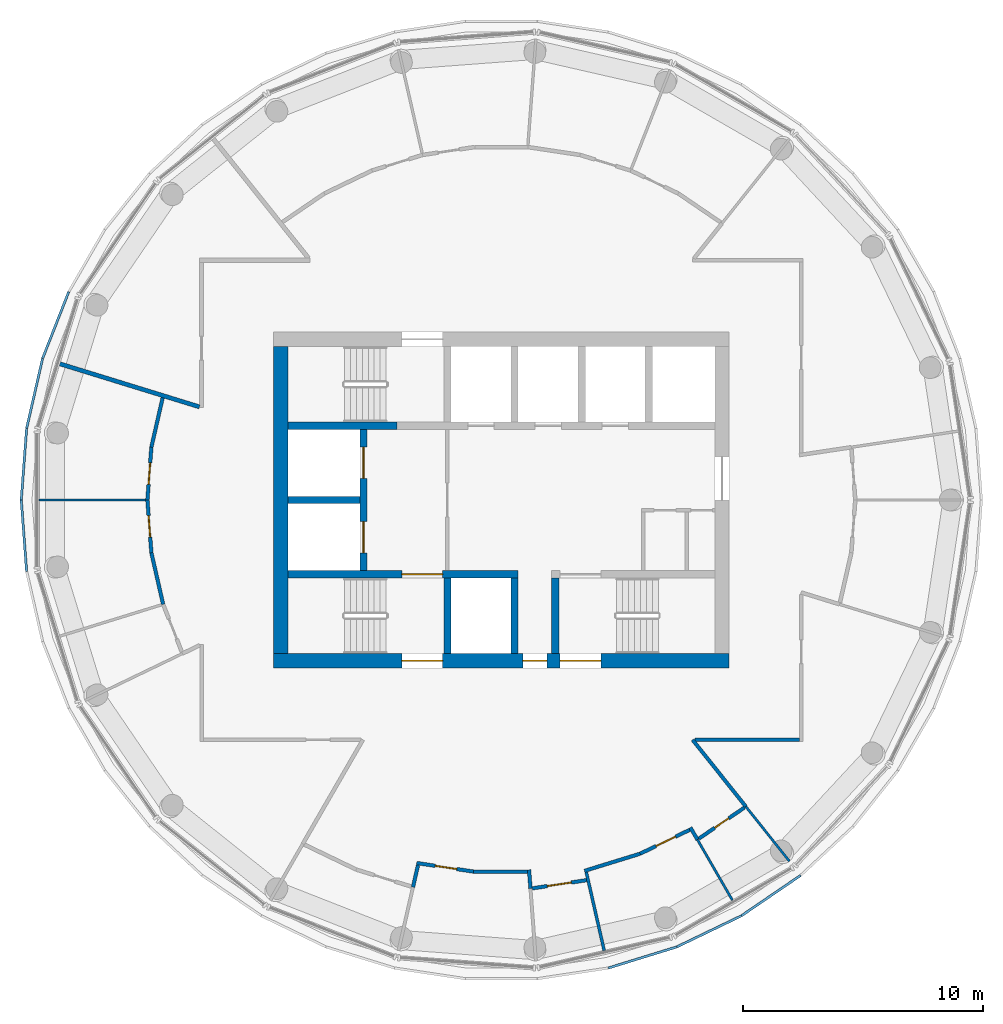
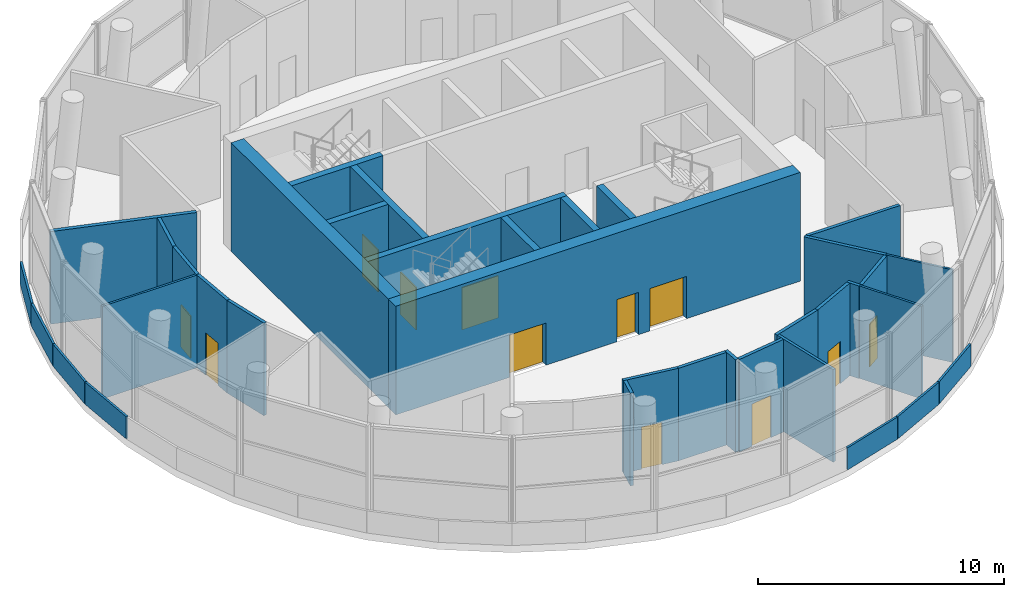
# One storey, part 5 of 11: 36 walls, 12 doors, 12 openings.
"""IFC4 building model written with IfcOpenShell, lengths in metres."""

from ifc_helpers import new_model, si_unit, direction, frame, frame_2d, origin, place, context, subcontext, project, spatial, rectangle, extrude, material, layer, layer_set, type_object, element, fill, save


model = new_model("IFC4")

# Units and contexts
model_context = context("Model", 3, precision=1e-05, world=origin(), true_north=direction((0.0, 1.0)))
body_context = subcontext(model_context, "Body", "Model", "MODEL_VIEW")
ifc_project = project(units=[si_unit("LENGTHUNIT", "METRE"), si_unit("AREAUNIT", "SQUARE_METRE"), si_unit("VOLUMEUNIT", "CUBIC_METRE"), si_unit("PLANEANGLEUNIT", "RADIAN"), si_unit("MASSUNIT", "GRAM", prefix="KILO")], contexts=[model_context])

# Site, building, storey
site_placement = place(None, origin())
site = spatial("IfcSite", under=ifc_project, at=site_placement, CompositionType="ELEMENT")
building_placement = place(site_placement, origin())
building = spatial("IfcBuilding", under=site, at=building_placement, Name="Tracery Tower", CompositionType="ELEMENT")
storey_placement = place(building_placement, frame((0.0, 0.0, 330.60009765625)))
storey = spatial("IfcBuildingStorey", under=building, at=storey_placement, Name="L86", CompositionType="ELEMENT", Elevation=330.60009765625)

# Wall
ifc_material_1 = material(Name="Plasterboard on steel studs", Category="steel")
ifc_layer_1 = layer(ifc_material_1, 0.175048828125)
ifc_layer_set_1 = layer_set([ifc_layer_1], Name="Compartment partition 175")
wall_type_1 = type_object("IfcWallType", Name="Compartment partition 175", PredefinedType="PARTITIONING", material=ifc_layer_set_1)
wall_1_placement = place(storey_placement, frame((-18.415283203125, 5.680419921875, 0.0), z_axis=(0.0, 0.0, 1.0), x_axis=(0.955575380347, -0.294746827761, 0.0)))
element("IfcWall", 1, at=wall_1_placement, inside=storey, type_object=wall_type_1, Name="Compartment partition 175", PredefinedType="PARTITIONING", context=body_context, shape_type="SweptSolid", body=[
    extrude(rectangle(XDim=6.098876953125, YDim=0.175048828125, at=frame_2d((3.04931640625, 0.0))), origin(), (0.0, 0.0, 1.0), 4.599853515625),
])

# Wall, openings, doors
ifc_material_2 = material(Name="Concrete C40/50", Category="concrete")
ifc_layer_2 = layer(ifc_material_2, 0.60009765625)
ifc_layer_set_2 = layer_set([ifc_layer_2], Name="Core wall 600 C40")
wall_type_2 = type_object("IfcWallType", Name="Core wall 600 C40", PredefinedType="SOLIDWALL", material=ifc_layer_set_2)
wall_2_placement = place(storey_placement, frame((-9.5, -6.699951171875, 0.0), z_axis=(0.0, 0.0, 1.0), x_axis=(1.0, 0.0, 0.0)))
wall_2 = element("IfcWall", 2, at=wall_2_placement, inside=storey, type_object=wall_type_2, Name="L86 outer S", PredefinedType="SOLIDWALL", context=body_context, shape_type="SweptSolid", body=[
    extrude(rectangle(XDim=19.0, YDim=0.60009765625, at=frame_2d((9.5, 0.0))), origin(), (0.0, 0.0, 1.0), 5.39990234375),
])
opening_1_placement = place(wall_2_placement, frame((10.39990234375, 0.0, 0.0)))
opening_1 = element("IfcOpeningElement", 3, at=opening_1_placement, cuts=wall_2, Name="Opening KD16", PredefinedType="OPENING", context=body_context, shape_type="SweptSolid", body=[
    extrude(rectangle(XDim=1.0, YDim=2.10009765625, at=frame_2d((0.5, 1.050048828125))), frame((0.0, 0.300048828125, 0.0), z_axis=(0.0, -1.0, 0.0), x_axis=(1.0, 0.0, 0.0)), (0.0, 0.0, 1.0), 0.60009765625),
])
opening_2_placement = place(wall_2_placement, frame((5.35009765625, 0.0, 0.0)))
opening_2 = element("IfcOpeningElement", 4, at=opening_2_placement, cuts=wall_2, Name="Opening KD3", PredefinedType="OPENING", context=body_context, shape_type="SweptSolid", body=[
    extrude(rectangle(XDim=1.699951171875, YDim=2.10009765625, at=frame_2d((0.85009765625, 1.050048828125))), frame((0.0, 0.300048828125, 0.0), z_axis=(0.0, -1.0, 0.0), x_axis=(1.0, 0.0, 0.0)), (0.0, 0.0, 1.0), 0.60009765625),
])
opening_3_placement = place(wall_2_placement, frame((11.949951171875, 0.0, 0.0)))
opening_3 = element("IfcOpeningElement", 5, at=opening_3_placement, cuts=wall_2, Name="Opening KD3", PredefinedType="OPENING", context=body_context, shape_type="SweptSolid", body=[
    extrude(rectangle(XDim=1.699951171875, YDim=2.10009765625, at=frame_2d((0.85009765625, 1.050048828125))), frame((0.0, 0.300048828125, 0.0), z_axis=(0.0, -1.0, 0.0), x_axis=(1.0, 0.0, 0.0)), (0.0, 0.0, 1.0), 0.60009765625),
])
ifc_material_3 = material(Name="Steel fire door", Category="steel")
door_type_1 = type_object("IfcDoorType", Name="Core exit door 1000", OperationType="NOTDEFINED", PredefinedType="DOOR", material=ifc_material_3)
door_1_placement = place(opening_1_placement, origin())
door_1 = element("IfcDoor", 6, at=door_1_placement, inside=storey, type_object=door_type_1, Name="Core exit door", OperationType="SINGLE_SWING_LEFT", OverallHeight=2.10009765625, OverallWidth=1.0, PredefinedType="DOOR", context=body_context, shape_type="SweptSolid", body=[
    extrude(rectangle(XDim=1.0, YDim=2.10009765625, at=frame_2d((0.5, 1.050048828125))), frame((0.0, 0.02490234375, 0.0), z_axis=(0.0, -1.0, 0.0), x_axis=(1.0, 0.0, 0.0)), (0.0, 0.0, 1.0), 0.050048828125),
])
fill(opening_1, door_1)
ifc_material_4 = material(Name="Steel fire door", Category="steel")
door_type_2 = type_object("IfcDoorType", Name="Core stair door 1700 double", OperationType="NOTDEFINED", PredefinedType="DOOR", material=ifc_material_4)
door_2_placement = place(opening_2_placement, origin())
door_2 = element("IfcDoor", 7, at=door_2_placement, inside=storey, type_object=door_type_2, Name="Stair door ST1 exit", OperationType="DOUBLE_DOOR_SINGLE_SWING", OverallHeight=2.10009765625, OverallWidth=1.699951171875, PredefinedType="DOOR", context=body_context, shape_type="SweptSolid", body=[
    extrude(rectangle(XDim=1.699951171875, YDim=2.10009765625, at=frame_2d((0.85009765625, 1.050048828125))), frame((0.0, 0.02490234375, 0.0), z_axis=(0.0, -1.0, 0.0), x_axis=(1.0, 0.0, 0.0)), (0.0, 0.0, 1.0), 0.050048828125),
])
fill(opening_2, door_2)
door_3_placement = place(opening_3_placement, origin())
door_3 = element("IfcDoor", 8, at=door_3_placement, inside=storey, type_object=door_type_2, Name="Stair door ST2 exit", OperationType="DOUBLE_DOOR_SINGLE_SWING", OverallHeight=2.10009765625, OverallWidth=1.699951171875, PredefinedType="DOOR", context=body_context, shape_type="SweptSolid", body=[
    extrude(rectangle(XDim=1.699951171875, YDim=2.10009765625, at=frame_2d((0.85009765625, 1.050048828125))), frame((0.0, 0.02490234375, 0.0), z_axis=(0.0, -1.0, 0.0), x_axis=(1.0, 0.0, 0.0)), (0.0, 0.0, 1.0), 0.050048828125),
])
fill(opening_3, door_3)

# Wall
wall_3_placement = place(storey_placement, frame((-9.199951171875, -6.39990234375, 0.0), z_axis=(0.0, 0.0, 1.0), x_axis=(0.0, 1.0, 0.0)))
element("IfcWall", 9, at=wall_3_placement, inside=storey, type_object=wall_type_2, Name="L86 outer W", PredefinedType="SOLIDWALL", context=body_context, shape_type="SweptSolid", body=[
    extrude(rectangle(XDim=12.7998046875, YDim=0.60009765625, at=frame_2d((6.39990234375, 0.0))), origin(), (0.0, 0.0, 1.0), 5.39990234375),
])

# Wall, opening, door
ifc_material_5 = material(Name="Plasterboard on steel studs", Category="steel")
ifc_layer_3 = layer(ifc_material_5, 0.14990234375)
ifc_layer_set_3 = layer_set([ifc_layer_3], Name="Corridor partition 150")
wall_type_3 = type_object("IfcWallType", Name="Corridor partition 150", PredefinedType="PARTITIONING", material=ifc_layer_set_3)
wall_4_placement = place(storey_placement, frame((-14.593994140625, -2.19970703125, 0.0), z_axis=(0.0, 0.0, 1.0), x_axis=(-0.074707404068, 0.997205497266, 0.0)))
wall_4 = element("IfcWall", 10, at=wall_4_placement, inside=storey, type_object=wall_type_3, Name="Corridor partition 150", PredefinedType="PARTITIONING", context=body_context, shape_type="SweptSolid", body=[
    extrude(rectangle(XDim=2.205810546875, YDim=0.14990234375, at=frame_2d((1.10302734375, 0.0))), origin(), (0.0, 0.0, 1.0), 4.599853515625),
])
opening_4_placement = place(wall_4_placement, frame((0.65283203125, 0.0, 0.0)))
opening_4 = element("IfcOpeningElement", 11, at=opening_4_placement, cuts=wall_4, Name="Opening SB-L86-08", PredefinedType="OPENING", context=body_context, shape_type="SweptSolid", body=[
    extrude(rectangle(XDim=0.89990234375, YDim=2.10009765625, at=frame_2d((0.449951171875, 1.050048828125))), frame((0.0, 0.074951171875, 0.0), z_axis=(0.0, -1.0, 0.0), x_axis=(1.0, 0.0, 0.0)), (0.0, 0.0, 1.0), 0.14990234375),
])
ifc_material_6 = material(Name="Timber door leaf", Category="wood")
door_type_3 = type_object("IfcDoorType", Name="Room door 900", OperationType="NOTDEFINED", PredefinedType="DOOR", material=ifc_material_6)
door_4_placement = place(opening_4_placement, origin())
door_4 = element("IfcDoor", 12, at=door_4_placement, inside=storey, type_object=door_type_3, Name="Room door 900", OperationType="SINGLE_SWING_RIGHT", OverallHeight=2.10009765625, OverallWidth=0.89990234375, PredefinedType="DOOR", context=body_context, shape_type="SweptSolid", body=[
    extrude(rectangle(XDim=0.89990234375, YDim=2.10009765625, at=frame_2d((0.449951171875, 1.050048828125))), frame((0.0, 0.02490234375, 0.0), z_axis=(0.0, -1.0, 0.0), x_axis=(1.0, 0.0, 0.0)), (0.0, 0.0, 1.0), 0.050048828125),
])
fill(opening_4, door_4)

# Wall
wall_5_placement = place(storey_placement, frame((-14.593994140625, -2.19970703125, 0.0), z_axis=(0.0, 0.0, 1.0), x_axis=(0.22258736759, -0.974912746757, 0.0)))
element("IfcWall", 13, at=wall_5_placement, inside=storey, type_object=wall_type_3, Name="Corridor partition 150", PredefinedType="PARTITIONING", context=body_context, shape_type="SweptSolid", body=[
    extrude(rectangle(XDim=2.205810546875, YDim=0.14990234375, at=frame_2d((1.10302734375, 0.0))), origin(), (0.0, 0.0, 1.0), 4.599853515625),
])

# Wall, opening, door
wall_6_placement = place(storey_placement, frame((-14.7587890625, 0.0, 0.0), z_axis=(0.0, 0.0, 1.0), x_axis=(0.074707404068, 0.997205497266, 0.0)))
wall_6 = element("IfcWall", 14, at=wall_6_placement, inside=storey, type_object=wall_type_3, Name="Corridor partition 150", PredefinedType="PARTITIONING", context=body_context, shape_type="SweptSolid", body=[
    extrude(rectangle(XDim=2.205810546875, YDim=0.14990234375, at=frame_2d((1.10302734375, 0.0))), origin(), (0.0, 0.0, 1.0), 4.599853515625),
])
opening_5_placement = place(wall_6_placement, frame((0.65283203125, 0.0, 0.0)))
opening_5 = element("IfcOpeningElement", 15, at=opening_5_placement, cuts=wall_6, Name="Opening SB-L86-07", PredefinedType="OPENING", context=body_context, shape_type="SweptSolid", body=[
    extrude(rectangle(XDim=0.89990234375, YDim=2.10009765625, at=frame_2d((0.449951171875, 1.050048828125))), frame((0.0, 0.074951171875, 0.0), z_axis=(0.0, -1.0, 0.0), x_axis=(1.0, 0.0, 0.0)), (0.0, 0.0, 1.0), 0.14990234375),
])
door_5_placement = place(opening_5_placement, origin())
door_5 = element("IfcDoor", 16, at=door_5_placement, inside=storey, type_object=door_type_3, Name="Room door 900", OperationType="SINGLE_SWING_RIGHT", OverallHeight=2.10009765625, OverallWidth=0.89990234375, PredefinedType="DOOR", context=body_context, shape_type="SweptSolid", body=[
    extrude(rectangle(XDim=0.89990234375, YDim=2.10009765625, at=frame_2d((0.449951171875, 1.050048828125))), frame((0.0, 0.02490234375, 0.0), z_axis=(0.0, -1.0, 0.0), x_axis=(1.0, 0.0, 0.0)), (0.0, 0.0, 1.0), 0.050048828125),
])
fill(opening_5, door_5)

# Walls
wall_7_placement = place(storey_placement, frame((-14.123291015625, 4.261962890625, 0.0), z_axis=(0.0, 0.0, 1.0), x_axis=(-0.222523936701, -0.97492722682, 0.0)))
element("IfcWall", 17, at=wall_7_placement, inside=storey, type_object=wall_type_3, Name="Corridor partition 150", PredefinedType="PARTITIONING", context=body_context, shape_type="SweptSolid", body=[
    extrude(rectangle(XDim=2.115234375, YDim=0.14990234375, at=frame_2d((1.0576171875, 0.0))), origin(), (0.0, 0.0, 1.0), 4.599853515625),
])
wall_8_placement = place(storey_placement, frame((-3.68408203125, -16.1416015625, 0.0), z_axis=(0.0, 0.0, 1.0), x_axis=(0.222438066525, 0.974946822427, 0.0)))
element("IfcWall", 18, at=wall_8_placement, inside=storey, type_object=wall_type_3, Name="Corridor partition 150", PredefinedType="PARTITIONING", context=body_context, shape_type="SweptSolid", body=[
    extrude(rectangle(XDim=0.94287109375, YDim=0.14990234375, at=frame_2d((0.471435546875, 0.0))), origin(), (0.0, 0.0, 1.0), 4.599853515625),
])

# Wall, opening, door
wall_9_placement = place(storey_placement, frame((-1.1611328125, -15.49560546875, 0.0), z_axis=(0.0, 0.0, 1.0), x_axis=(-0.988826289837, 0.149072360037, 0.0)))
wall_9 = element("IfcWall", 19, at=wall_9_placement, inside=storey, type_object=wall_type_3, Name="Corridor partition 150", PredefinedType="PARTITIONING", context=body_context, shape_type="SweptSolid", body=[
    extrude(rectangle(XDim=2.397705078125, YDim=0.14990234375, at=frame_2d((1.19873046875, 0.0))), origin(), (0.0, 0.0, 1.0), 4.599853515625),
])
opening_6_placement = place(wall_9_placement, frame((0.711181640625, 0.0, 0.0)))
opening_6 = element("IfcOpeningElement", 20, at=opening_6_placement, cuts=wall_9, Name="Opening SB-L86-12", PredefinedType="OPENING", context=body_context, shape_type="SweptSolid", body=[
    extrude(rectangle(XDim=0.89990234375, YDim=2.10009765625, at=frame_2d((0.449951171875, 1.050048828125))), frame((0.0, 0.074951171875, 0.0), z_axis=(0.0, -1.0, 0.0), x_axis=(1.0, 0.0, 0.0)), (0.0, 0.0, 1.0), 0.14990234375),
])
ifc_material_7 = material(Name="Timber door leaf", Category="wood")
door_type_4 = type_object("IfcDoorType", Name="Toilet door 900", OperationType="NOTDEFINED", PredefinedType="DOOR", material=ifc_material_7)
door_6_placement = place(opening_6_placement, origin())
door_6 = element("IfcDoor", 21, at=door_6_placement, inside=storey, type_object=door_type_4, Name="Toilet door 900", OperationType="SINGLE_SWING_RIGHT", OverallHeight=2.10009765625, OverallWidth=0.89990234375, PredefinedType="DOOR", context=body_context, shape_type="SweptSolid", body=[
    extrude(rectangle(XDim=0.89990234375, YDim=2.10009765625, at=frame_2d((0.449951171875, 1.050048828125))), frame((0.0, 0.02490234375, 0.0), z_axis=(0.0, -1.0, 0.0), x_axis=(1.0, 0.0, 0.0)), (0.0, 0.0, 1.0), 0.050048828125),
])
fill(opening_6, door_6)

# Walls
wall_10_placement = place(storey_placement, frame((-1.1611328125, -15.49560546875, 0.0), z_axis=(0.0, 0.0, 1.0), x_axis=(1.0, 0.0, 0.0)))
element("IfcWall", 22, at=wall_10_placement, inside=storey, type_object=wall_type_3, Name="Corridor partition 150", PredefinedType="PARTITIONING", context=body_context, shape_type="SweptSolid", body=[
    extrude(rectangle(XDim=2.247314453125, YDim=0.14990234375, at=frame_2d((1.12353515625, 0.0))), origin(), (0.0, 0.0, 1.0), 4.599853515625),
])
wall_11_placement = place(storey_placement, frame((1.214599609375, -16.20654296875, 0.0), z_axis=(0.0, 0.0, 1.0), x_axis=(-0.074967074966, 0.997186009564, 0.0)))
element("IfcWall", 23, at=wall_11_placement, inside=storey, type_object=wall_type_3, Name="Corridor partition 150", PredefinedType="PARTITIONING", context=body_context, shape_type="SweptSolid", body=[
    extrude(rectangle(XDim=0.7880859375, YDim=0.14990234375, at=frame_2d((0.39404296875, 0.0))), origin(), (0.0, 0.0, 1.0), 4.599853515625),
])

# Wall, opening, door
wall_12_placement = place(storey_placement, frame((3.551513671875, -15.854248046875, 0.0), z_axis=(0.0, 0.0, 1.0), x_axis=(-0.988829666301, -0.149049961569, 0.0)))
wall_12 = element("IfcWall", 24, at=wall_12_placement, inside=storey, type_object=wall_type_3, Name="Corridor partition 150", PredefinedType="PARTITIONING", context=body_context, shape_type="SweptSolid", body=[
    extrude(rectangle(XDim=2.288330078125, YDim=0.14990234375, at=frame_2d((1.14404296875, 0.0))), origin(), (0.0, 0.0, 1.0), 4.599853515625),
])
opening_7_placement = place(wall_12_placement, frame((0.64892578125, 0.0, 0.0)))
opening_7 = element("IfcOpeningElement", 25, at=opening_7_placement, cuts=wall_12, Name="Opening SB-L86-13", PredefinedType="OPENING", context=body_context, shape_type="SweptSolid", body=[
    extrude(rectangle(XDim=1.0, YDim=2.10009765625, at=frame_2d((0.5, 1.050048828125))), frame((0.0, 0.074951171875, 0.0), z_axis=(0.0, -1.0, 0.0), x_axis=(1.0, 0.0, 0.0)), (0.0, 0.0, 1.0), 0.14990234375),
])
ifc_material_8 = material(Name="Timber door leaf", Category="wood")
door_type_5 = type_object("IfcDoorType", Name="Accessible toilet door 1000", OperationType="NOTDEFINED", PredefinedType="DOOR", material=ifc_material_8)
door_7_placement = place(opening_7_placement, origin())
door_7 = element("IfcDoor", 26, at=door_7_placement, inside=storey, type_object=door_type_5, Name="Accessible toilet door 1000", OperationType="SINGLE_SWING_RIGHT", OverallHeight=2.10009765625, OverallWidth=1.0, PredefinedType="DOOR", context=body_context, shape_type="SweptSolid", body=[
    extrude(rectangle(XDim=1.0, YDim=2.10009765625, at=frame_2d((0.5, 1.050048828125))), frame((0.0, 0.02490234375, 0.0), z_axis=(0.0, -1.0, 0.0), x_axis=(1.0, 0.0, 0.0)), (0.0, 0.0, 1.0), 0.050048828125),
])
fill(opening_7, door_7)

# Wall
wall_13_placement = place(storey_placement, frame((3.466064453125, -15.4658203125, 0.0), z_axis=(0.0, 0.0, 1.0), x_axis=(0.955592050723, 0.294692776626, 0.0)))
element("IfcWall", 27, at=wall_13_placement, inside=storey, type_object=wall_type_3, Name="Corridor partition 150", PredefinedType="PARTITIONING", context=body_context, shape_type="SweptSolid", body=[
    extrude(rectangle(XDim=2.4306640625, YDim=0.14990234375, at=frame_2d((1.21533203125, 0.0))), origin(), (0.0, 0.0, 1.0), 4.599853515625),
])

# Wall, opening, door
wall_14_placement = place(storey_placement, frame((7.854736328125, -13.75439453125, 0.0), z_axis=(0.0, 0.0, 1.0), x_axis=(-0.900930758215, -0.43396286581, 0.0)))
wall_14 = element("IfcWall", 28, at=wall_14_placement, inside=storey, type_object=wall_type_3, Name="Corridor partition 150", PredefinedType="PARTITIONING", context=body_context, shape_type="SweptSolid", body=[
    extrude(rectangle(XDim=2.293212890625, YDim=0.14990234375, at=frame_2d((1.146484375, 0.0))), origin(), (0.0, 0.0, 1.0), 4.599853515625),
])
opening_8_placement = place(wall_14_placement, frame((0.6591796875, 0.0, 0.0)))
opening_8 = element("IfcOpeningElement", 29, at=opening_8_placement, cuts=wall_14, Name="Opening SB-L86-14", PredefinedType="OPENING", context=body_context, shape_type="SweptSolid", body=[
    extrude(rectangle(XDim=0.89990234375, YDim=2.10009765625, at=frame_2d((0.449951171875, 1.050048828125))), frame((0.0, 0.074951171875, 0.0), z_axis=(0.0, -1.0, 0.0), x_axis=(1.0, 0.0, 0.0)), (0.0, 0.0, 1.0), 0.14990234375),
])
ifc_material_9 = material(Name="Steel fire door", Category="steel")
door_type_6 = type_object("IfcDoorType", Name="Store door 900", OperationType="NOTDEFINED", PredefinedType="DOOR", material=ifc_material_9)
door_8_placement = place(opening_8_placement, origin())
door_8 = element("IfcDoor", 30, at=door_8_placement, inside=storey, type_object=door_type_6, Name="Store door 900", OperationType="SINGLE_SWING_RIGHT", OverallHeight=2.10009765625, OverallWidth=0.89990234375, PredefinedType="DOOR", context=body_context, shape_type="SweptSolid", body=[
    extrude(rectangle(XDim=0.89990234375, YDim=2.10009765625, at=frame_2d((0.449951171875, 1.050048828125))), frame((0.0, 0.02490234375, 0.0), z_axis=(0.0, -1.0, 0.0), x_axis=(1.0, 0.0, 0.0)), (0.0, 0.0, 1.0), 0.050048828125),
])
fill(opening_8, door_8)

# Walls
wall_15_placement = place(storey_placement, frame((8.070556640625, -10.0, 0.0), z_axis=(0.0, 0.0, 1.0), x_axis=(1.0, 0.0, 0.0)))
element("IfcWall", 31, at=wall_15_placement, inside=storey, type_object=wall_type_3, Name="Corridor partition 150", PredefinedType="PARTITIONING", context=body_context, shape_type="SweptSolid", body=[
    extrude(rectangle(XDim=4.3544921875, YDim=0.14990234375, at=frame_2d((2.17724609375, 0.0))), origin(), (0.0, 0.0, 1.0), 4.599853515625),
])
wall_16_placement = place(storey_placement, frame((8.176513671875, -14.162353515625, 0.0), z_axis=(0.0, 0.0, 1.0), x_axis=(-0.499649997908, 0.866227383307, 0.0)))
element("IfcWall", 32, at=wall_16_placement, inside=storey, type_object=wall_type_3, Name="Corridor partition 150", PredefinedType="PARTITIONING", context=body_context, shape_type="SweptSolid", body=[
    extrude(rectangle(XDim=0.58349609375, YDim=0.14990234375, at=frame_2d((0.291748046875, 0.0))), origin(), (0.0, 0.0, 1.0), 4.599853515625),
])

# Wall, opening, door
wall_17_placement = place(storey_placement, frame((10.134033203125, -12.827880859375, 0.0), z_axis=(0.0, 0.0, 1.0), x_axis=(-0.82627462879, -0.563267465613, 0.0)))
wall_17 = element("IfcWall", 33, at=wall_17_placement, inside=storey, type_object=wall_type_3, Name="Corridor partition 150", PredefinedType="PARTITIONING", context=body_context, shape_type="SweptSolid", body=[
    extrude(rectangle(XDim=2.293701171875, YDim=0.14990234375, at=frame_2d((1.14697265625, 0.0))), origin(), (0.0, 0.0, 1.0), 4.599853515625),
])
opening_9_placement = place(wall_17_placement, frame((0.796875, 0.0, 0.0)))
opening_9 = element("IfcOpeningElement", 34, at=opening_9_placement, cuts=wall_17, Name="Opening SB-L86-15", PredefinedType="OPENING", context=body_context, shape_type="SweptSolid", body=[
    extrude(rectangle(XDim=0.699951171875, YDim=2.10009765625, at=frame_2d((0.35009765625, 1.050048828125))), frame((0.0, 0.074951171875, 0.0), z_axis=(0.0, -1.0, 0.0), x_axis=(1.0, 0.0, 0.0)), (0.0, 0.0, 1.0), 0.14990234375),
])
ifc_material_10 = material(Name="Steel fire door", Category="steel")
door_type_7 = type_object("IfcDoorType", Name="Riser door 700", OperationType="NOTDEFINED", PredefinedType="DOOR", material=ifc_material_10)
door_9_placement = place(opening_9_placement, origin())
door_9 = element("IfcDoor", 35, at=door_9_placement, inside=storey, type_object=door_type_7, Name="Riser door 700", OperationType="SINGLE_SWING_RIGHT", OverallHeight=2.10009765625, OverallWidth=0.699951171875, PredefinedType="DOOR", context=body_context, shape_type="SweptSolid", body=[
    extrude(rectangle(XDim=0.699951171875, YDim=2.10009765625, at=frame_2d((0.35009765625, 1.050048828125))), frame((0.0, 0.02490234375, 0.0), z_axis=(0.0, -1.0, 0.0), x_axis=(1.0, 0.0, 0.0)), (0.0, 0.0, 1.0), 0.050048828125),
])
fill(opening_9, door_9)

# Walls
wall_18_placement = place(storey_placement, frame((10.196044921875, -12.785400390625, 0.0), z_axis=(0.0, 0.0, 1.0), x_axis=(-0.623516027281, 0.781810567672, 0.0)))
element("IfcWall", 36, at=wall_18_placement, inside=storey, type_object=wall_type_3, Name="Corridor partition 150", PredefinedType="PARTITIONING", context=body_context, shape_type="SweptSolid", body=[
    extrude(rectangle(XDim=3.562744140625, YDim=0.14990234375, at=frame_2d((1.78125, 0.0))), origin(), (0.0, 0.0, 1.0), 4.599853515625),
])
ifc_material_11 = material(Name="Tinted laminated glass", Category="glass")
ifc_layer_4 = layer(ifc_material_11, 0.10009765625)
ifc_layer_set_4 = layer_set([ifc_layer_4], Name="Crown ledge glass parapet 100")
wall_type_4 = type_object("IfcWallType", Name="Crown ledge glass parapet 100", PredefinedType="PARAPET", material=ifc_layer_set_4)
wall_19_placement = place(storey_placement, frame((-18.041015625, 8.682861328125, 0.0), z_axis=(0.0, 0.0, 1.0), x_axis=(-0.365343432016, -0.930872803708, 0.0)))
element("IfcWall", 37, at=wall_19_placement, inside=storey, type_object=wall_type_4, Name="Crown ledge glass parapet L86 19", PredefinedType="PARAPET", context=body_context, shape_type="SweptSolid", body=[
    extrude(rectangle(XDim=2.983154296875, YDim=0.10009765625, at=frame_2d((1.49169921875, 0.0))), origin(), (0.0, 0.0, 1.0), 1.099853515625),
])
wall_20_placement = place(storey_placement, frame((-19.133544921875, 5.89697265625, 0.0), z_axis=(0.0, 0.0, 1.0), x_axis=(-0.22253367096, -0.974925004956, 0.0)))
element("IfcWall", 38, at=wall_20_placement, inside=storey, type_object=wall_type_4, Name="Crown ledge glass parapet L86 20", PredefinedType="PARAPET", context=body_context, shape_type="SweptSolid", body=[
    extrude(rectangle(XDim=2.98291015625, YDim=0.10009765625, at=frame_2d((1.491455078125, 0.0))), origin(), (0.0, 0.0, 1.0), 1.099853515625),
])
for number, where, z_axis, x_axis, name in (
    (39, (-19.798828125, 2.9794921875, 0.0), (0.0, 0.0, 1.0), (-0.074718739729, -0.99720464797, 0.0), "Crown ledge glass parapet L86 21"),
    (40, (-20.021728515625, -0.004638671875, 0.0), (0.0, 0.0, 1.0), (0.074718739729, -0.99720464797, 0.0), "Crown ledge glass parapet L86 22"),
):
    element("IfcWall", number, at=place(storey_placement, frame(where, z_axis=z_axis, x_axis=x_axis)), inside=storey, type_object=wall_type_4, Name=name, PredefinedType="PARAPET", context=body_context, shape_type="SweptSolid", body=[
        extrude(rectangle(XDim=2.983154296875, YDim=0.10009765625, at=frame_2d((1.49169921875, 0.0))), origin(), (0.0, 0.0, 1.0), 1.099853515625),
    ])
wall_21_placement = place(storey_placement, frame((4.4599609375, -19.518798828125, 0.0), z_axis=(0.0, 0.0, 1.0), x_axis=(0.955555758085, 0.294810436028, 0.0)))
element("IfcWall", 41, at=wall_21_placement, inside=storey, type_object=wall_type_4, Name="Crown ledge glass parapet L86 34", PredefinedType="PARAPET", context=body_context, shape_type="SweptSolid", body=[
    extrude(rectangle(XDim=2.98291015625, YDim=0.10009765625, at=frame_2d((1.491455078125, 0.0))), origin(), (0.0, 0.0, 1.0), 1.099853515625),
])
wall_22_placement = place(storey_placement, frame((7.319091796875, -18.635986328125, 0.0), z_axis=(0.0, 0.0, 1.0), x_axis=(0.900989821587, 0.433840225655, 0.0)))
element("IfcWall", 42, at=wall_22_placement, inside=storey, type_object=wall_type_4, Name="Crown ledge glass parapet L86 35", PredefinedType="PARAPET", context=body_context, shape_type="SweptSolid", body=[
    extrude(rectangle(XDim=2.983154296875, YDim=0.10009765625, at=frame_2d((1.49169921875, 0.0))), origin(), (0.0, 0.0, 1.0), 1.099853515625),
])
wall_23_placement = place(storey_placement, frame((10.014892578125, -17.3369140625, 0.0), z_axis=(0.0, 0.0, 1.0), x_axis=(0.826225611244, 0.563339364259, 0.0)))
element("IfcWall", 43, at=wall_23_placement, inside=storey, type_object=wall_type_4, Name="Crown ledge glass parapet L86 36", PredefinedType="PARAPET", context=body_context, shape_type="SweptSolid", body=[
    extrude(rectangle(XDim=2.98291015625, YDim=0.10009765625, at=frame_2d((1.491455078125, 0.0))), origin(), (0.0, 0.0, 1.0), 1.099853515625),
])
ifc_material_12 = material(Name="Concrete C40/50", Category="concrete")
ifc_layer_5 = layer(ifc_material_12, 0.300048828125)
ifc_layer_set_5 = layer_set([ifc_layer_5], Name="Shaft wall 300 C40")
wall_type_5 = type_object("IfcWallType", Name="Shaft wall 300 C40", PredefinedType="SOLIDWALL", material=ifc_layer_set_5)
wall_24_placement = place(storey_placement, frame((-8.89990234375, 0.0, 0.0), z_axis=(0.0, 0.0, 1.0), x_axis=(1.0, 0.0, 0.0)))
element("IfcWall", 44, at=wall_24_placement, inside=storey, type_object=wall_type_5, Name="L86 FF split", PredefinedType="SOLIDWALL", context=body_context, shape_type="SweptSolid", body=[
    extrude(rectangle(XDim=3.0, YDim=0.300048828125, at=frame_2d((1.5, 0.0))), origin(), (0.0, 0.0, 1.0), 5.0498046875),
])

# Wall, openings, doors
wall_25_placement = place(storey_placement, frame((-5.75, -2.949951171875, 0.0), z_axis=(0.0, 0.0, 1.0), x_axis=(0.0, 1.0, 0.0)))
wall_25 = element("IfcWall", 45, at=wall_25_placement, inside=storey, type_object=wall_type_5, Name="L86 FF doors", PredefinedType="SOLIDWALL", context=body_context, shape_type="SweptSolid", body=[
    extrude(rectangle(XDim=5.89990234375, YDim=0.300048828125, at=frame_2d((2.949951171875, 0.0))), origin(), (0.0, 0.0, 1.0), 5.0498046875),
])
opening_10_placement = place(wall_25_placement, frame((0.75, 0.0, 0.0)))
opening_10 = element("IfcOpeningElement", 46, at=opening_10_placement, cuts=wall_25, Name="Opening KD54", PredefinedType="OPENING", context=body_context, shape_type="SweptSolid", body=[
    extrude(rectangle(XDim=1.300048828125, YDim=2.10009765625, at=frame_2d((0.64990234375, 1.050048828125))), frame((0.0, 0.14990234375, 0.0), z_axis=(0.0, -1.0, 0.0), x_axis=(1.0, 0.0, 0.0)), (0.0, 0.0, 1.0), 0.300048828125),
])
opening_11_placement = place(wall_25_placement, frame((3.85009765625, 0.0, 0.0)))
opening_11 = element("IfcOpeningElement", 47, at=opening_11_placement, cuts=wall_25, Name="Opening KD55", PredefinedType="OPENING", context=body_context, shape_type="SweptSolid", body=[
    extrude(rectangle(XDim=1.300048828125, YDim=2.10009765625, at=frame_2d((0.64990234375, 1.050048828125))), frame((0.0, 0.14990234375, 0.0), z_axis=(0.0, -1.0, 0.0), x_axis=(1.0, 0.0, 0.0)), (0.0, 0.0, 1.0), 0.300048828125),
])
ifc_material_13 = material(Name="Steel fire door", Category="steel")
door_type_8 = type_object("IfcDoorType", Name="Landing door FF 1300", OperationType="NOTDEFINED", PredefinedType="DOOR", material=ifc_material_13)
door_10_placement = place(opening_10_placement, origin())
door_10 = element("IfcDoor", 48, at=door_10_placement, inside=storey, type_object=door_type_8, Name="Landing door FF1", OperationType="SLIDING_TO_LEFT", OverallHeight=2.10009765625, OverallWidth=1.300048828125, PredefinedType="DOOR", context=body_context, shape_type="SweptSolid", body=[
    extrude(rectangle(XDim=1.300048828125, YDim=2.10009765625, at=frame_2d((0.64990234375, 1.050048828125))), frame((0.0, 0.02490234375, 0.0), z_axis=(0.0, -1.0, 0.0), x_axis=(1.0, 0.0, 0.0)), (0.0, 0.0, 1.0), 0.050048828125),
])
fill(opening_10, door_10)
door_11_placement = place(opening_11_placement, origin())
door_11 = element("IfcDoor", 49, at=door_11_placement, inside=storey, type_object=door_type_8, Name="Landing door FF2", OperationType="SLIDING_TO_RIGHT", OverallHeight=2.10009765625, OverallWidth=1.300048828125, PredefinedType="DOOR", context=body_context, shape_type="SweptSolid", body=[
    extrude(rectangle(XDim=1.300048828125, YDim=2.10009765625, at=frame_2d((0.64990234375, 1.050048828125))), frame((0.0, 0.02490234375, 0.0), z_axis=(0.0, -1.0, 0.0), x_axis=(1.0, 0.0, 0.0)), (0.0, 0.0, 1.0), 0.050048828125),
])
fill(opening_11, door_11)

# Wall
wall_26_placement = place(storey_placement, frame((0.550048828125, -6.39990234375, 0.0), z_axis=(0.0, 0.0, 1.0), x_axis=(0.0, 1.0, 0.0)))
element("IfcWall", 50, at=wall_26_placement, inside=storey, type_object=wall_type_5, Name="L86 OB2 E", PredefinedType="SOLIDWALL", context=body_context, shape_type="SweptSolid", body=[
    extrude(rectangle(XDim=3.14990234375, YDim=0.300048828125, at=frame_2d((1.574951171875, 0.0))), origin(), (0.0, 0.0, 1.0), 5.0498046875),
])

# Wall, opening, door
ifc_material_14 = material(Name="Concrete C40/50", Category="concrete")
ifc_layer_6 = layer(ifc_material_14, 0.300048828125)
ifc_layer_set_6 = layer_set([ifc_layer_6], Name="Stair wall 300 C40")
wall_type_6 = type_object("IfcWallType", Name="Stair wall 300 C40", PredefinedType="SOLIDWALL", material=ifc_layer_set_6)
wall_27_placement = place(storey_placement, frame((-8.89990234375, -3.10009765625, 0.0), z_axis=(0.0, 0.0, 1.0), x_axis=(1.0, 0.0, 0.0)))
wall_27 = element("IfcWall", 51, at=wall_27_placement, inside=storey, type_object=wall_type_6, Name="L86 row S", PredefinedType="SOLIDWALL", context=body_context, shape_type="SweptSolid", body=[
    extrude(rectangle(XDim=9.599853515625, YDim=0.300048828125, at=frame_2d((4.7998046875, 0.0))), origin(), (0.0, 0.0, 1.0), 5.0498046875),
])
opening_12_placement = place(wall_27_placement, frame((4.75, 0.0, 0.0)))
opening_12 = element("IfcOpeningElement", 52, at=opening_12_placement, cuts=wall_27, Name="Opening KD3", PredefinedType="OPENING", context=body_context, shape_type="SweptSolid", body=[
    extrude(rectangle(XDim=1.699951171875, YDim=2.10009765625, at=frame_2d((0.85009765625, 1.050048828125))), frame((0.0, 0.14990234375, 0.0), z_axis=(0.0, -1.0, 0.0), x_axis=(1.0, 0.0, 0.0)), (0.0, 0.0, 1.0), 0.300048828125),
])
door_12_placement = place(opening_12_placement, origin())
door_12 = element("IfcDoor", 53, at=door_12_placement, inside=storey, type_object=door_type_2, Name="Stair door ST1", OperationType="DOUBLE_DOOR_SINGLE_SWING", OverallHeight=2.10009765625, OverallWidth=1.699951171875, PredefinedType="DOOR", context=body_context, shape_type="SweptSolid", body=[
    extrude(rectangle(XDim=1.699951171875, YDim=2.10009765625, at=frame_2d((0.85009765625, 1.050048828125))), frame((0.0, 0.02490234375, 0.0), z_axis=(0.0, -1.0, 0.0), x_axis=(1.0, 0.0, 0.0)), (0.0, 0.0, 1.0), 0.050048828125),
])
fill(opening_12, door_12)

# Walls
wall_28_placement = place(storey_placement, frame((-8.89990234375, 3.10009765625, 0.0), z_axis=(0.0, 0.0, 1.0), x_axis=(1.0, 0.0, 0.0)))
element("IfcWall", 54, at=wall_28_placement, inside=storey, type_object=wall_type_6, Name="L86 row N W", PredefinedType="SOLIDWALL", context=body_context, shape_type="SweptSolid", body=[
    extrude(rectangle(XDim=4.5498046875, YDim=0.300048828125, at=frame_2d((2.27490234375, 0.0))), origin(), (0.0, 0.0, 1.0), 5.0498046875),
])
for number, where, z_axis, x_axis, name in (
    (55, (-2.25, -6.39990234375, 0.0), (0.0, 0.0, 1.0), (0.0, 1.0, 0.0), "L86 ST1 E"),
    (56, (2.25, -6.39990234375, 0.0), (0.0, 0.0, 1.0), (0.0, 1.0, 0.0), "L86 ST2 W"),
):
    element("IfcWall", number, at=place(storey_placement, frame(where, z_axis=z_axis, x_axis=x_axis)), inside=storey, type_object=wall_type_6, Name=name, PredefinedType="SOLIDWALL", context=body_context, shape_type="SweptSolid", body=[
        extrude(rectangle(XDim=3.14990234375, YDim=0.300048828125, at=frame_2d((1.574951171875, 0.0))), origin(), (0.0, 0.0, 1.0), 5.0498046875),
    ])
ifc_material_15 = material(Name="Plasterboard on steel studs", Category="steel")
ifc_layer_7 = layer(ifc_material_15, 0.10009765625)
ifc_layer_set_7 = layer_set([ifc_layer_7], Name="Stud partition 100")
wall_type_7 = type_object("IfcWallType", Name="Stud partition 100", PredefinedType="PARTITIONING", material=ifc_layer_set_7)
wall_29_placement = place(storey_placement, frame((-19.271484375, 0.0, 0.0), z_axis=(0.0, 0.0, 1.0), x_axis=(1.0, 0.0, 0.0)))
element("IfcWall", 57, at=wall_29_placement, inside=storey, type_object=wall_type_7, Name="Stud partition 100", PredefinedType="PARTITIONING", context=body_context, shape_type="SweptSolid", body=[
    extrude(rectangle(XDim=4.4375, YDim=0.10009765625, at=frame_2d((2.21875, 0.0))), origin(), (0.0, 0.0, 1.0), 4.599853515625),
])
wall_30_placement = place(storey_placement, frame((9.6357421875, -16.689453125, 0.0), z_axis=(0.0, 0.0, 1.0), x_axis=(-0.500053168733, 0.865994704626, 0.0)))
element("IfcWall", 58, at=wall_30_placement, inside=storey, type_object=wall_type_7, Name="Stud partition 100", PredefinedType="PARTITIONING", context=body_context, shape_type="SweptSolid", body=[
    extrude(rectangle(XDim=2.918212890625, YDim=0.10009765625, at=frame_2d((1.458984375, 0.0))), origin(), (0.0, 0.0, 1.0), 4.599853515625),
])
wall_31_placement = place(storey_placement, frame((12.015380859375, -15.06689453125, 0.0), z_axis=(0.0, 0.0, 1.0), x_axis=(-0.623469917071, 0.781847339644, 0.0)))
element("IfcWall", 59, at=wall_31_placement, inside=storey, type_object=wall_type_7, Name="Stud partition 100", PredefinedType="PARTITIONING", context=body_context, shape_type="SweptSolid", body=[
    extrude(rectangle(XDim=2.91796875, YDim=0.10009765625, at=frame_2d((1.458984375, 0.0))), origin(), (0.0, 0.0, 1.0), 4.599853515625),
])
ifc_material_16 = material(Name="Plasterboard on steel studs", Category="steel")
ifc_layer_8 = layer(ifc_material_16, 0.125)
ifc_layer_set_8 = layer_set([ifc_layer_8], Name="Wet area partition 125")
wall_type_8 = type_object("IfcWallType", Name="Wet area partition 125", PredefinedType="PARTITIONING", material=ifc_layer_set_8)
wall_32_placement = place(storey_placement, frame((4.288330078125, -18.7880859375, 0.0), z_axis=(0.0, 0.0, 1.0), x_axis=(-0.222534042943, 0.974924920048, 0.0)))
element("IfcWall", 60, at=wall_32_placement, inside=storey, type_object=wall_type_8, Name="Wet area partition 125", PredefinedType="PARTITIONING", context=body_context, shape_type="SweptSolid", body=[
    extrude(rectangle(XDim=3.3515625, YDim=0.125, at=frame_2d((1.67578125, 0.0))), origin(), (0.0, 0.0, 1.0), 4.599853515625),
])

save(model, "model.ifc")
